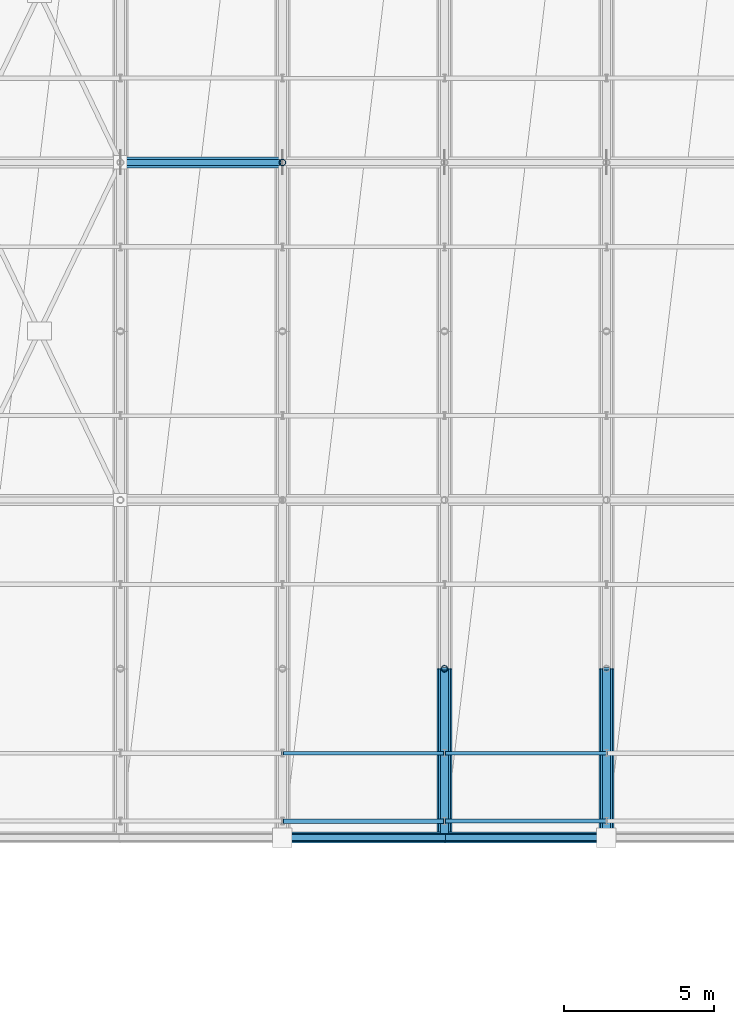
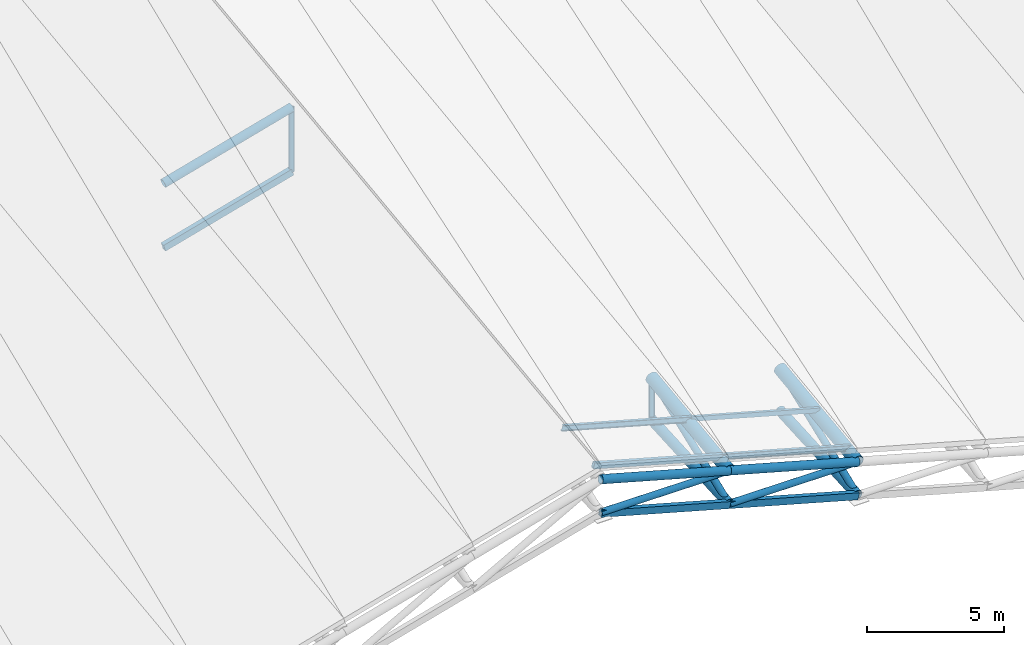
# One storey, part 3 of 109: 16 members, 4 beams.
"""IFC4 building model written with IfcOpenShell, lengths in metres."""

from ifc_helpers import new_model, si_unit, direction, frame, origin, origin_2d, place, context, subcontext, project, spatial, hollow_rectangle, hollow_circle, i_section, extrude, material, material_profile, profile_set, type_object, element, save


model = new_model("IFC4")

# Units and contexts
model_context = context("Model", 3, precision=1e-05, world=origin(), true_north=direction((0.0, 1.0)))
body_context = subcontext(model_context, "Body", "Model", "MODEL_VIEW")
ifc_project = project(units=[si_unit("LENGTHUNIT", "METRE"), si_unit("AREAUNIT", "SQUARE_METRE"), si_unit("VOLUMEUNIT", "CUBIC_METRE"), si_unit("PLANEANGLEUNIT", "RADIAN"), si_unit("MASSUNIT", "GRAM", prefix="KILO")], contexts=[model_context])

# Site, building, storey
site_placement = place(None, origin())
site = spatial("IfcSite", under=ifc_project, at=site_placement, CompositionType="ELEMENT")
building_placement = place(site_placement, origin())
building = spatial("IfcBuilding", under=site, at=building_placement, Name="Suirenkawa Promenade Aquatics Centre", CompositionType="ELEMENT")
storey_placement = place(building_placement, frame((0.0, 0.0, 22.800048828125)))
storey = spatial("IfcBuildingStorey", under=building, at=storey_placement, Name="ROOF", CompositionType="ELEMENT", Elevation=22.800048828125)

# Beams
ifc_material = material(Name="Steel IS 2062 E350 (Grade 350)", Category="steel")
ifc_material_profile_1 = material_profile(ifc_material, hollow_circle(Radius=0.202880859375, WallThickness=0.01806640625, at=origin_2d()), Name="CHS 406x18", Category="steel")
ifc_profile_set_1 = profile_set([ifc_material_profile_1], Name="Steel IS 2062 E350 (Grade 350)")
beam_type_1 = type_object("IfcBeamType", Name="BT-BC-CHS406", PredefinedType="BEAM", material=ifc_profile_set_1)
beam_1_placement = place(storey_placement, frame((73.800048828125, 50.39990234375, -11.97998046875), z_axis=(0.0, 0.998275120127, 0.058709322386), x_axis=(-1.0, 0.0, 0.0)))
element("IfcBeam", 1, at=beam_1_placement, inside=storey, type_object=beam_type_1, Name="ROOF TRUSS V1 bottom chord BC-01 BM-1948", PredefinedType="BEAM", context=body_context, shape_type="SweptSolid", body=[
    extrude(hollow_circle(Radius=0.202880859375, WallThickness=0.01806640625, at=origin_2d()), origin(), (0.0, 0.0, 1.0), 5.634765625),
])
beam_2_placement = place(storey_placement, frame((79.199951171875, 50.39990234375, -13.47998046875), z_axis=(0.0, 0.998124718782, 0.061213117519), x_axis=(-1.0, 0.0, 0.0)))
element("IfcBeam", 2, at=beam_2_placement, inside=storey, type_object=beam_type_1, Name="ROOF TRUSS V1 bottom chord BC-01 BM-1976", PredefinedType="BEAM", context=body_context, shape_type="SweptSolid", body=[
    extrude(hollow_circle(Radius=0.202880859375, WallThickness=0.01806640625, at=origin_2d()), origin(), (0.0, 0.0, 1.0), 5.635498046875),
])
ifc_material_profile_2 = material_profile(ifc_material, hollow_circle(Radius=0.25390625, WallThickness=0.02392578125, at=origin_2d()), Name="CHS 508x24", Category="steel")
ifc_profile_set_2 = profile_set([ifc_material_profile_2], Name="Steel IS 2062 E350 (Grade 350)")
beam_type_2 = type_object("IfcBeamType", Name="BT-TC-CHS508", PredefinedType="BEAM", material=ifc_profile_set_2)
for number, where, z_axis, x_axis, name in (
    (3, (73.800048828125, 50.39990234375, -10.5), (0.0, 0.991799178012, 0.127806065951), (-1.0, 0.0, 0.0), "ROOF TRUSS V1 top chord TC-02 BM-1947"),
    (4, (79.199951171875, 50.39990234375, -12.0), (0.0, 0.991799178012, 0.127806065951), (-1.0, 0.0, 0.0), "ROOF TRUSS V1 top chord TC-02 BM-1975"),
):
    element("IfcBeam", number, at=place(storey_placement, frame(where, z_axis=z_axis, x_axis=x_axis)), inside=storey, type_object=beam_type_2, Name=name, PredefinedType="BEAM", context=body_context, shape_type="SweptSolid", body=[
        extrude(hollow_circle(Radius=0.25390625, WallThickness=0.02392578125, at=origin_2d()), origin(), (0.0, 0.0, 1.0), 5.671630859375),
    ])

# Members
ifc_material_profile_3 = material_profile(ifc_material, hollow_circle(Radius=0.177978515625, WallThickness=0.01611328125, at=origin_2d()), Name="CHS 356x16", Category="steel")
ifc_profile_set_3 = profile_set([ifc_material_profile_3], Name="Steel IS 2062 E350 (Grade 350)")
member_type_1 = type_object("IfcMemberType", Name="MT-CHORD-CHS356", PredefinedType="CHORD", material=ifc_profile_set_3)
member_1_placement = place(storey_placement, frame((68.39990234375, 50.39990234375, -9.0), z_axis=(0.963519781844, 0.0, -0.267637123724), x_axis=(0.0, 1.0, 0.0)))
element("IfcMember", 5, at=member_1_placement, inside=storey, type_object=member_type_1, Name="ROOF TRUSS V1 eave top chord CH-02 MB-0580", PredefinedType="CHORD", context=body_context, shape_type="SweptSolid", body=[
    extrude(hollow_circle(Radius=0.177978515625, WallThickness=0.01611328125, at=origin_2d()), origin(), (0.0, 0.0, 1.0), 5.6044921875),
])
for number, where, z_axis, x_axis, name in (
    (6, (73.800048828125, 50.39990234375, -10.5), (0.963516661409, 0.0, -0.267648357342), (0.0, 1.0, 0.0), "ROOF TRUSS V1 eave top chord CH-02 MB-0583"),
    (7, (63.0, 72.89990234375, -7.60009765625), (0.963516661409, 0.0, 0.267648357342), (0.0, 1.0, 0.0), "ROOF TRUSS V1 tie chord CH-02 MB-0734"),
):
    element("IfcMember", number, at=place(storey_placement, frame(where, z_axis=z_axis, x_axis=x_axis)), inside=storey, type_object=member_type_1, Name=name, PredefinedType="CHORD", context=body_context, shape_type="SweptSolid", body=[
        extrude(hollow_circle(Radius=0.177978515625, WallThickness=0.01611328125, at=origin_2d()), origin(), (0.0, 0.0, 1.0), 5.604248046875),
    ])
ifc_material_profile_4 = material_profile(ifc_material, hollow_rectangle(XDim=0.199951171875, YDim=0.300048828125, WallThickness=0.011962890625, at=origin_2d()), Name="RHS 300x200x12", Category="steel")
ifc_profile_set_4 = profile_set([ifc_material_profile_4], Name="Steel IS 2062 E350 (Grade 350)")
member_type_2 = type_object("IfcMemberType", Name="MT-CHORD-RHS300", PredefinedType="CHORD", material=ifc_profile_set_4)
member_2_placement = place(storey_placement, frame((68.39990234375, 50.39990234375, -10.47998046875), z_axis=(0.963519781844, 0.0, -0.267637123724), x_axis=(0.0, 1.0, 0.0)))
element("IfcMember", 8, at=member_2_placement, inside=storey, type_object=member_type_2, Name="ROOF TRUSS V1 eave bottom chord CH-03 MB-0581", PredefinedType="CHORD", context=body_context, shape_type="SweptSolid", body=[
    extrude(hollow_rectangle(XDim=0.199951171875, YDim=0.300048828125, WallThickness=0.011962890625, at=origin_2d()), origin(), (0.0, 0.0, 1.0), 5.6044921875),
])
for number, where, z_axis, x_axis, name in (
    (9, (73.800048828125, 50.39990234375, -11.97998046875), (0.963516661409, 0.0, -0.267648357342), (0.0, 1.0, 0.0), "ROOF TRUSS V1 eave bottom chord CH-03 MB-0584"),
    (10, (63.0, 72.89990234375, -10.427001953125), (0.963516661409, 0.0, 0.267648357342), (0.0, 1.0, 0.0), "ROOF TRUSS V1 bottom tie CH-03 MB-0735"),
):
    element("IfcMember", number, at=place(storey_placement, frame(where, z_axis=z_axis, x_axis=x_axis)), inside=storey, type_object=member_type_2, Name=name, PredefinedType="CHORD", context=body_context, shape_type="SweptSolid", body=[
        extrude(hollow_rectangle(XDim=0.199951171875, YDim=0.300048828125, WallThickness=0.011962890625, at=origin_2d()), origin(), (0.0, 0.0, 1.0), 5.604248046875),
    ])
ifc_material_profile_5 = material_profile(ifc_material, i_section(OverallWidth=0.125, OverallDepth=0.25, WebThickness=0.007080078125, FlangeThickness=0.012939453125, at=origin_2d()), Name="ISMB 250", Category="steel")
ifc_profile_set_5 = profile_set([ifc_material_profile_5], Name="Steel IS 2062 E350 (Grade 350)")
member_type_3 = type_object("IfcMemberType", Name="MT-PURLIN-ISMB250", PredefinedType="PURLIN", material=ifc_profile_set_5)
member_3_placement = place(storey_placement, frame((68.39990234375, 53.2119140625, -8.4169921875), z_axis=(0.963519781844, 0.0, -0.267637123724), x_axis=(0.0, 1.0, 0.0)))
element("IfcMember", 11, at=member_3_placement, inside=storey, type_object=member_type_3, Name="ROOF TRUSS Roof purlin PU-04 MB-1833", PredefinedType="PURLIN", context=body_context, shape_type="SweptSolid", body=[
    extrude(i_section(OverallWidth=0.125, OverallDepth=0.25, WebThickness=0.007080078125, FlangeThickness=0.012939453125, at=origin_2d()), origin(), (0.0, 0.0, 1.0), 5.6044921875),
])
member_4_placement = place(storey_placement, frame((73.800048828125, 50.949951171875, -10.2080078125), z_axis=(0.963516661409, 0.0, -0.267648357342), x_axis=(0.0, 1.0, 0.0)))
element("IfcMember", 12, at=member_4_placement, inside=storey, type_object=member_type_3, Name="ROOF TRUSS Roof purlin PU-04 MB-1867", PredefinedType="PURLIN", context=body_context, shape_type="SweptSolid", body=[
    extrude(i_section(OverallWidth=0.125, OverallDepth=0.25, WebThickness=0.007080078125, FlangeThickness=0.012939453125, at=origin_2d()), origin(), (0.0, 0.0, 1.0), 5.604248046875),
])
ifc_material_profile_6 = material_profile(ifc_material, hollow_rectangle(XDim=0.1201171875, YDim=0.199951171875, WallThickness=0.008056640625, at=origin_2d()), Name="RHS 200x120x8", Category="steel")
ifc_profile_set_6 = profile_set([ifc_material_profile_6], Name="Steel IS 2062 E350 (Grade 350)")
member_type_4 = type_object("IfcMemberType", Name="MT-PURLIN-RHS200", PredefinedType="PURLIN", material=ifc_profile_set_6)
member_5_placement = place(storey_placement, frame((73.800048828125, 53.2119140625, -9.89111328125), z_axis=(0.963516661409, 0.0, -0.267648357342), x_axis=(0.0, 1.0, 0.0)))
element("IfcMember", 13, at=member_5_placement, inside=storey, type_object=member_type_4, Name="ROOF TRUSS Roof purlin PU-02 MB-1869", PredefinedType="PURLIN", context=body_context, shape_type="SweptSolid", body=[
    extrude(hollow_rectangle(XDim=0.1201171875, YDim=0.199951171875, WallThickness=0.008056640625, at=origin_2d()), origin(), (0.0, 0.0, 1.0), 5.604248046875),
])
ifc_material_profile_7 = material_profile(ifc_material, hollow_rectangle(XDim=0.14990234375, YDim=0.25, WallThickness=0.010009765625, at=origin_2d()), Name="RHS 250x150x10", Category="steel")
ifc_profile_set_7 = profile_set([ifc_material_profile_7], Name="Steel IS 2062 E350 (Grade 350)")
member_type_5 = type_object("IfcMemberType", Name="MT-PURLIN-RHS250", PredefinedType="PURLIN", material=ifc_profile_set_7)
member_6_placement = place(storey_placement, frame((68.39990234375, 50.949951171875, -8.7099609375), z_axis=(0.963519781844, 0.0, -0.267637123724), x_axis=(0.0, 1.0, 0.0)))
element("IfcMember", 14, at=member_6_placement, inside=storey, type_object=member_type_5, Name="ROOF TRUSS Roof purlin PU-03 MB-1831", PredefinedType="PURLIN", context=body_context, shape_type="SweptSolid", body=[
    extrude(hollow_rectangle(XDim=0.14990234375, YDim=0.25, WallThickness=0.010009765625, at=origin_2d()), origin(), (0.0, 0.0, 1.0), 5.6044921875),
])
ifc_material_profile_8 = material_profile(ifc_material, hollow_circle(Radius=0.110107421875, WallThickness=0.010009765625, at=origin_2d()), Name="CHS 220x10", Category="steel")
ifc_profile_set_8 = profile_set([ifc_material_profile_8], Name="Steel IS 2062 E350 (Grade 350)")
member_type_6 = type_object("IfcMemberType", Name="MT-WEB-CHS220", PredefinedType="BRACE", material=ifc_profile_set_8)
member_7_placement = place(storey_placement, frame((68.39990234375, 72.89990234375, -8.927001953125), z_axis=(0.0, 0.0, 1.0), x_axis=(1.0, 0.0, 0.0)))
element("IfcMember", 15, at=member_7_placement, inside=storey, type_object=member_type_6, Name="ROOF TRUSS V1 web post TD-01 MB-0126", PredefinedType="BRACE", context=body_context, shape_type="SweptSolid", body=[
    extrude(hollow_circle(Radius=0.110107421875, WallThickness=0.010009765625, at=origin_2d()), origin(), (0.0, 0.0, 1.0), 2.826904296875),
])
member_8_placement = place(storey_placement, frame((73.800048828125, 56.02490234375, -11.649169921875), z_axis=(0.0, 0.0, 1.0), x_axis=(1.0, 0.0, 0.0)))
element("IfcMember", 16, at=member_8_placement, inside=storey, type_object=member_type_6, Name="ROOF TRUSS V1 web post TD-01 MB-0150", PredefinedType="BRACE", context=body_context, shape_type="SweptSolid", body=[
    extrude(hollow_circle(Radius=0.110107421875, WallThickness=0.010009765625, at=origin_2d()), origin(), (0.0, 0.0, 1.0), 1.8740234375),
])
ifc_material_profile_9 = material_profile(ifc_material, hollow_circle(Radius=0.136962890625, WallThickness=0.011962890625, at=origin_2d()), Name="CHS 274x12", Category="steel")
ifc_profile_set_9 = profile_set([ifc_material_profile_9], Name="Steel IS 2062 E350 (Grade 350)")
member_type_7 = type_object("IfcMemberType", Name="MT-WEB-CHS274", PredefinedType="BRACE", material=ifc_profile_set_9)
for number, where, z_axis, x_axis, name in (
    (17, (73.800048828125, 50.39990234375, -11.97998046875), (0.0, 0.931032164378, 0.364937130056), (-1.0, 0.0, 0.0), "ROOF TRUSS V1 web diagonal TD-02 MB-0136"),
    (18, (79.199951171875, 50.39990234375, -13.47998046875), (0.0, 0.931032164378, 0.364937130056), (-1.0, 0.0, 0.0), "ROOF TRUSS V1 web diagonal TD-02 MB-0163"),
):
    element("IfcMember", number, at=place(storey_placement, frame(where, z_axis=z_axis, x_axis=x_axis)), inside=storey, type_object=member_type_7, Name=name, PredefinedType="BRACE", context=body_context, shape_type="SweptSolid", body=[
        extrude(hollow_circle(Radius=0.136962890625, WallThickness=0.011962890625, at=origin_2d()), origin(), (0.0, 0.0, 1.0), 6.041748046875),
    ])
member_9_placement = place(storey_placement, frame((68.39990234375, 50.39990234375, -10.47998046875), z_axis=(0.999993128331, 0.0, -0.003707194562), x_axis=(0.0, 1.0, 0.0)))
element("IfcMember", 19, at=member_9_placement, inside=storey, type_object=member_type_7, Name="ROOF TRUSS V1 eave web diagonal TD-02 MB-0582", PredefinedType="BRACE", context=body_context, shape_type="SweptSolid", body=[
    extrude(hollow_circle(Radius=0.136962890625, WallThickness=0.011962890625, at=origin_2d()), origin(), (0.0, 0.0, 1.0), 5.400146484375),
])
member_10_placement = place(storey_placement, frame((73.800048828125, 50.39990234375, -11.97998046875), z_axis=(0.999993127709, 0.0, -0.00370736217), x_axis=(0.0, 1.0, 0.0)))
element("IfcMember", 20, at=member_10_placement, inside=storey, type_object=member_type_7, Name="ROOF TRUSS V1 eave web diagonal TD-02 MB-0585", PredefinedType="BRACE", context=body_context, shape_type="SweptSolid", body=[
    extrude(hollow_circle(Radius=0.136962890625, WallThickness=0.011962890625, at=origin_2d()), origin(), (0.0, 0.0, 1.0), 5.39990234375),
])

save(model, "model.ifc")
